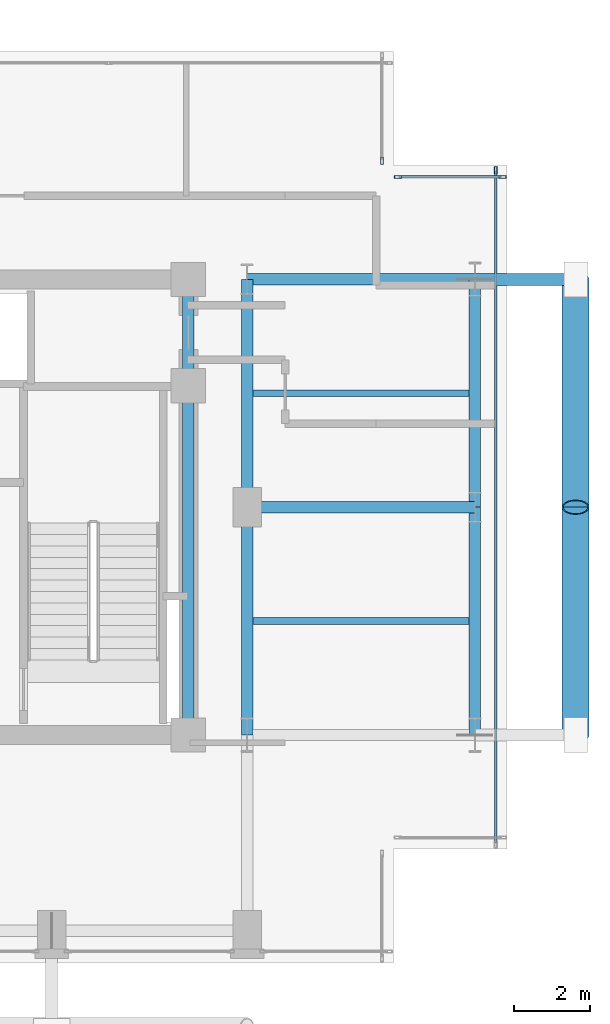
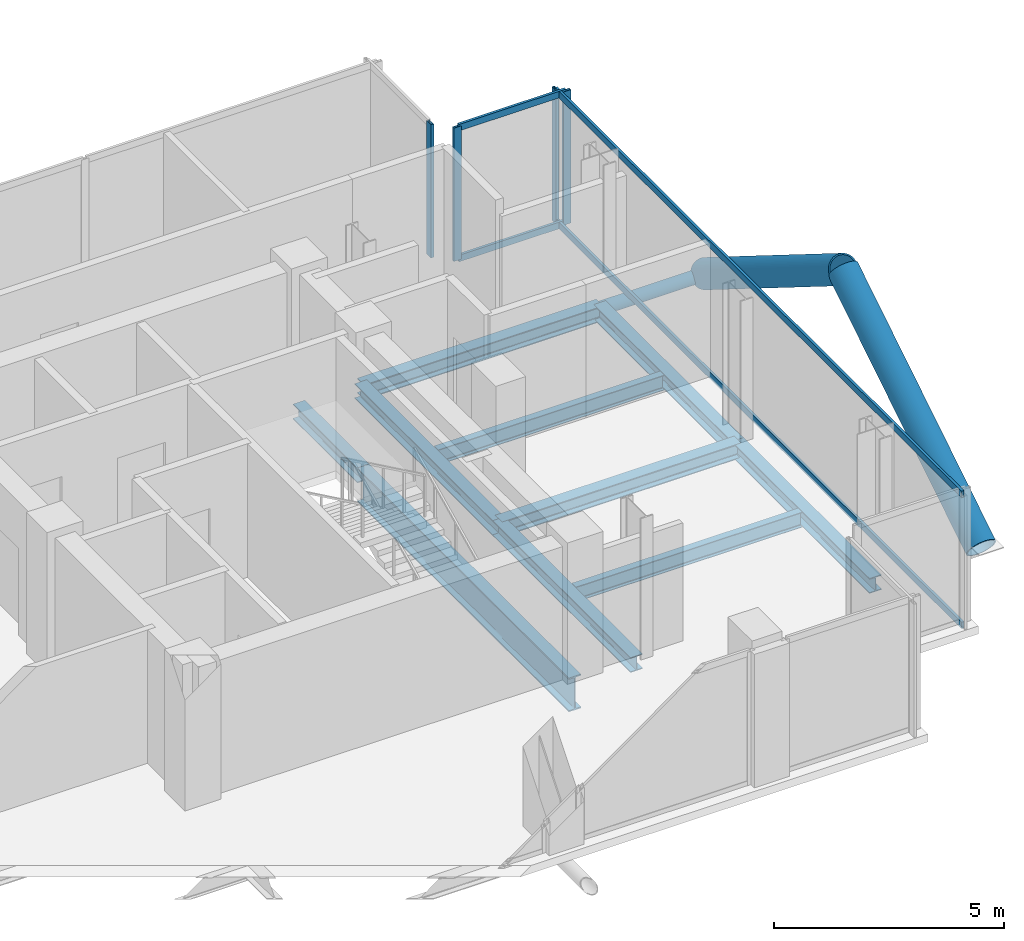
# One storey, part 11 of 21: 11 members, 10 beams, 3 elements without a shape of their own.
"""IFC4 building model written with IfcOpenShell, lengths in metres."""

from ifc_helpers import new_model, si_unit, direction, frame, origin, origin_2d, place, context, subcontext, project, spatial, hollow_rectangle, hollow_circle, i_section, extrude, material, layer, layer_set, material_profile, profile_set, type_object, element, aggregate, save


model = new_model("IFC4")

# Units and contexts
model_context = context("Model", 3, precision=1e-05, world=origin(), true_north=direction((0.0, 1.0)))
body_context = subcontext(model_context, "Body", "Model", "MODEL_VIEW")
ifc_project = project(units=[si_unit("LENGTHUNIT", "METRE"), si_unit("AREAUNIT", "SQUARE_METRE"), si_unit("VOLUMEUNIT", "CUBIC_METRE"), si_unit("PLANEANGLEUNIT", "RADIAN"), si_unit("MASSUNIT", "GRAM", prefix="KILO"), si_unit("THERMODYNAMICTEMPERATUREUNIT", "KELVIN"), si_unit("POWERUNIT", "WATT")], contexts=[model_context])

# Site, building, storey
site_placement = place(None, origin())
site = spatial("IfcSite", under=ifc_project, at=site_placement, CompositionType="ELEMENT")
building_placement = place(site_placement, origin())
building = spatial("IfcBuilding", under=site, at=building_placement, Name="Svarakhadi Broadcast Tower", CompositionType="ELEMENT")
storey_placement = place(building_placement, frame((0.0, 0.0, 219.89990234375)))
storey = spatial("IfcBuildingStorey", under=building, at=storey_placement, Name="L54", CompositionType="ELEMENT", Elevation=219.89990234375)

# Beams
ifc_material_1 = material(Name="Steel S355J2 (IS 2062 E350C)", Category="steel")
ifc_material_profile_1 = material_profile(ifc_material_1, i_section(OverallWidth=0.179931640625, OverallDepth=0.39990234375, WebThickness=0.008544921875, FlangeThickness=0.013427734375, FilletRadius=0.02099609375, at=origin_2d()), Name="NPB 400x180x66")
ifc_profile_set_1 = profile_set([ifc_material_profile_1], Name="Steel S355J2 (IS 2062 E350C)")
beam_type_1 = type_object("IfcBeamType", Name="Beam_NPB400", PredefinedType="BEAM", material=ifc_profile_set_1)
for number, where, z_axis, x_axis, name in (
    (1, (35.31005859375, 9.0, -0.409912109375), (1.0, 0.0, 0.0), (0.0, 1.0, 0.0), "L54 Secondary Composite Beam SB016"),
    (2, (35.31005859375, 15.0, -0.409912109375), (1.0, 0.0, 0.0), (0.0, 1.0, 0.0), "L54 Secondary Composite Beam SB017"),
):
    element("IfcBeam", number, at=place(storey_placement, frame(where, z_axis=z_axis, x_axis=x_axis)), inside=storey, type_object=beam_type_1, Name=name, PredefinedType="BEAM", context=body_context, shape_type="SweptSolid", body=[
        extrude(i_section(OverallWidth=0.179931640625, OverallDepth=0.39990234375, WebThickness=0.008544921875, FlangeThickness=0.013427734375, FilletRadius=0.02099609375, at=origin_2d()), origin(), (0.0, 0.0, 1.0), 5.679931640625),
    ])

# Curtain wall, member
ifc_material_2 = material(Name="Anodised Bronze Aluminium AA 6063-T6", Category="aluminium")
ifc_layer = layer(ifc_material_2, 0.18994140625)
ifc_layer_set = layer_set([ifc_layer], Name="Anodised Bronze Aluminium AA 6063-T6")
curtain_wall_type = type_object("IfcCurtainWallType", Name="CW_Sys_04", PredefinedType="NOTDEFINED", material=ifc_layer_set)
curtain_wall_1_placement = place(storey_placement, origin())
curtain_wall_1 = element("IfcCurtainWall", 3, at=curtain_wall_1_placement, inside=storey, type_object=curtain_wall_type, Name="L54 Unitised Facade Curtain Wall 11", PredefinedType="NOTDEFINED")
ifc_material_profile_2 = material_profile(ifc_material_2, hollow_rectangle(XDim=0.070068359375, YDim=0.18994140625, WallThickness=0.005615234375, at=origin_2d()), Name="ALU MULLION 190x70x6")
ifc_profile_set_2 = profile_set([ifc_material_profile_2], Name="Anodised Bronze Aluminium AA 6063-T6")
member_type_1 = type_object("IfcMemberType", Name="CW_Sys_04_Mul", PredefinedType="MULLION", material=ifc_profile_set_2)
member_1_placement = place(storey_placement, frame((38.699951171875, 21.125, 0.0), z_axis=(0.0, 0.0, 1.0), x_axis=(1.0, 0.0, 0.0)))
member_1 = element("IfcMember", 4, at=member_1_placement, type_object=member_type_1, Name="CW-04 mullion 2", PredefinedType="MULLION", context=body_context, shape_type="SweptSolid", body=[
    extrude(hollow_rectangle(XDim=0.070068359375, YDim=0.18994140625, WallThickness=0.005615234375, at=origin_2d()), origin(), (0.0, 0.0, 1.0), 3.5400390625),
])
aggregate(curtain_wall_1, [member_1])

# Curtain wall, members
curtain_wall_2_placement = place(storey_placement, origin())
curtain_wall_2 = element("IfcCurtainWall", 5, at=curtain_wall_2_placement, inside=storey, type_object=curtain_wall_type, Name="L54 Unitised Facade Curtain Wall 12", PredefinedType="NOTDEFINED")
member_2_placement = place(storey_placement, frame((39.125, 20.699951171875, 0.0), z_axis=(0.0, 0.0, 1.0), x_axis=(0.0, 1.0, 0.0)))
member_2 = element("IfcMember", 6, at=member_2_placement, type_object=member_type_1, Name="CW-04 mullion 1", PredefinedType="MULLION", context=body_context, shape_type="SweptSolid", body=[
    extrude(hollow_rectangle(XDim=0.070068359375, YDim=0.18994140625, WallThickness=0.005615234375, at=origin_2d()), origin(), (0.0, 0.0, 1.0), 3.5400390625),
])
member_3_placement = place(storey_placement, frame((41.875, 20.699951171875, 0.0), z_axis=(0.0, 0.0, 1.0), x_axis=(0.0, 1.0, 0.0)))
member_3 = element("IfcMember", 7, at=member_3_placement, type_object=member_type_1, Name="CW-04 mullion 2", PredefinedType="MULLION", context=body_context, shape_type="SweptSolid", body=[
    extrude(hollow_rectangle(XDim=0.070068359375, YDim=0.18994140625, WallThickness=0.005615234375, at=origin_2d()), origin(), (0.0, 0.0, 1.0), 3.5400390625),
])

# Curtain wall, member
curtain_wall_3_placement = place(storey_placement, origin())
curtain_wall_3 = element("IfcCurtainWall", 8, at=curtain_wall_3_placement, inside=storey, type_object=curtain_wall_type, Name="L54 Unitised Facade Curtain Wall 13", PredefinedType="NOTDEFINED")
member_4_placement = place(storey_placement, frame((41.699951171875, 20.875, 0.0), z_axis=(0.0, 0.0, 1.0), x_axis=(1.0, 0.0, 0.0)))
member_4 = element("IfcMember", 9, at=member_4_placement, type_object=member_type_1, Name="CW-04 mullion 1", PredefinedType="MULLION", context=body_context, shape_type="SweptSolid", body=[
    extrude(hollow_rectangle(XDim=0.070068359375, YDim=0.18994140625, WallThickness=0.005615234375, at=origin_2d()), origin(), (0.0, 0.0, 1.0), 3.5400390625),
])

# Member
ifc_material_profile_3 = material_profile(ifc_material_2, hollow_rectangle(XDim=0.06494140625, YDim=0.175048828125, WallThickness=0.0048828125, at=origin_2d()), Name="ALU TRANSOM 175x65x5")
ifc_profile_set_3 = profile_set([ifc_material_profile_3], Name="Anodised Bronze Aluminium AA 6063-T6")
member_type_2 = type_object("IfcMemberType", Name="CW_Sys_04_Trn", PredefinedType="USERDEFINED", material=ifc_profile_set_3)
member_5_placement = place(storey_placement, frame((39.159912109375, 20.699951171875, 0.03271484375), z_axis=(1.0, 0.0, 0.0), x_axis=(0.0, 1.0, 0.0)))
member_5 = element("IfcMember", 10, at=member_5_placement, type_object=member_type_2, Name="CW-04 transom 1.1", ObjectType="TRANSOM", PredefinedType="USERDEFINED", context=body_context, shape_type="SweptSolid", body=[
    extrude(hollow_rectangle(XDim=0.06494140625, YDim=0.175048828125, WallThickness=0.0048828125, at=origin_2d()), origin(), (0.0, 0.0, 1.0), 2.68017578125),
])

member_6_placement = place(storey_placement, frame((39.159912109375, 20.699951171875, 3.507568359375), z_axis=(1.0, 0.0, 0.0), x_axis=(0.0, 1.0, 0.0)))
member_6 = element("IfcMember", 11, at=member_6_placement, type_object=member_type_2, Name="CW-04 transom 1.2", ObjectType="TRANSOM", PredefinedType="USERDEFINED", context=body_context, shape_type="SweptSolid", body=[
    extrude(hollow_rectangle(XDim=0.06494140625, YDim=0.175048828125, WallThickness=0.0048828125, at=origin_2d()), origin(), (0.0, 0.0, 1.0), 2.68017578125),
])

aggregate(curtain_wall_2, [member_2, member_3, member_5, member_6])

member_7_placement = place(storey_placement, frame((41.699951171875, 20.840087890625, 0.03271484375), z_axis=(0.0, -1.0, 0.0), x_axis=(1.0, 0.0, 0.0)))
member_7 = element("IfcMember", 12, at=member_7_placement, type_object=member_type_2, Name="CW-04 transom 1.1", ObjectType="TRANSOM", PredefinedType="USERDEFINED", context=body_context, shape_type="SweptSolid", body=[
    extrude(hollow_rectangle(XDim=0.06494140625, YDim=0.175048828125, WallThickness=0.0048828125, at=origin_2d()), origin(), (0.0, 0.0, 1.0), 17.68017578125),
])

member_8_placement = place(storey_placement, frame((41.699951171875, 20.840087890625, 3.507568359375), z_axis=(0.0, -1.0, 0.0), x_axis=(1.0, 0.0, 0.0)))
member_8 = element("IfcMember", 13, at=member_8_placement, type_object=member_type_2, Name="CW-04 transom 1.2", ObjectType="TRANSOM", PredefinedType="USERDEFINED", context=body_context, shape_type="SweptSolid", body=[
    extrude(hollow_rectangle(XDim=0.06494140625, YDim=0.175048828125, WallThickness=0.0048828125, at=origin_2d()), origin(), (0.0, 0.0, 1.0), 17.68017578125),
])

aggregate(curtain_wall_3, [member_4, member_7, member_8])

# Members
ifc_material_3 = material(Name="Steel S460ML (IS 2062 E450BR)", Category="steel")
ifc_material_profile_4 = material_profile(ifc_material_3, hollow_circle(Radius=0.35546875, WallThickness=0.034912109375, at=origin_2d()), Name="CHS 711x35")
ifc_profile_set_4 = profile_set([ifc_material_profile_4], Name="Steel S460ML (IS 2062 E450BR)")
member_type_3 = type_object("IfcMemberType", Name="Exo_Brace_CHS711", PredefinedType="BRACE", material=ifc_profile_set_4)
for number, where, z_axis, x_axis, name in (
    (14, (43.800048828125, 6.0, -0.371826171875), (0.0, 0.847998304005, 0.529998940003), (-1.0, 0.0, 0.0), "L54 Exposed Bronze Exoskeleton Diagonal E04"),
    (15, (43.800048828125, 18.0, -0.371826171875), (0.0, -0.847998304005, 0.529998940003), (1.0, 0.0, 0.0), "L54 Exposed Bronze Exoskeleton Diagonal E05"),
):
    element("IfcMember", number, at=place(storey_placement, frame(where, z_axis=z_axis, x_axis=x_axis)), inside=storey, type_object=member_type_3, Name=name, PredefinedType="BRACE", context=body_context, shape_type="SweptSolid", body=[
        extrude(hollow_circle(Radius=0.35546875, WallThickness=0.034912109375, at=origin_2d()), origin(), (0.0, 0.0, 1.0), 7.075439453125),
    ])
ifc_material_profile_5 = material_profile(ifc_material_3, hollow_circle(Radius=0.161865234375, WallThickness=0.01611328125, at=origin_2d()), Name="CHS 323.9x16")
ifc_profile_set_5 = profile_set([ifc_material_profile_5], Name="Steel S460ML (IS 2062 E450BR)")
member_type_4 = type_object("IfcMemberType", Name="Exo_Radial_Strut_Z2", PredefinedType="STRUT", material=ifc_profile_set_5)
member_9_placement = place(storey_placement, frame((43.800048828125, 18.0, -0.371826171875), z_axis=(-1.0, 0.0, 0.0), x_axis=(0.0, -1.0, 0.0)))
element("IfcMember", 16, at=member_9_placement, inside=storey, type_object=member_type_4, Name="L54 Exoskeleton Radial Tie Strut E08", PredefinedType="STRUT", context=body_context, shape_type="SweptSolid", body=[
    extrude(hollow_circle(Radius=0.161865234375, WallThickness=0.01611328125, at=origin_2d()), origin(), (0.0, 0.0, 1.0), 2.650146484375),
])

# Beams
ifc_material_profile_6 = material_profile(ifc_material_1, i_section(OverallWidth=0.300048828125, OverallDepth=0.39990234375, WebThickness=0.013427734375, FlangeThickness=0.02392578125, FilletRadius=0.027099609375, at=origin_2d()), Name="WPB 400x300x155")
ifc_profile_set_6 = profile_set([ifc_material_profile_6], Name="Steel S355J2 (IS 2062 E350C)")
beam_type_2 = type_object("IfcBeamType", Name="Girder_WPB400", PredefinedType="USERDEFINED", material=ifc_profile_set_6)
for number, where, z_axis, x_axis, name in (
    (17, (35.14990234375, 12.0, -0.409912109375), (1.0, 0.0, 0.0), (0.0, 1.0, 0.0), "L54 Primary E-W Girder G019"),
    (18, (35.14990234375, 18.0, -0.409912109375), (1.0, 0.0, 0.0), (0.0, 1.0, 0.0), "L54 Primary E-W Girder G025"),
):
    element("IfcBeam", number, at=place(storey_placement, frame(where, z_axis=z_axis, x_axis=x_axis)), inside=storey, type_object=beam_type_2, Name=name, ObjectType="GIRDER", PredefinedType="USERDEFINED", context=body_context, shape_type="SweptSolid", body=[
        extrude(i_section(OverallWidth=0.300048828125, OverallDepth=0.39990234375, WebThickness=0.013427734375, FlangeThickness=0.02392578125, FilletRadius=0.027099609375, at=origin_2d()), origin(), (0.0, 0.0, 1.0), 6.0),
    ])
beam_1_placement = place(storey_placement, frame((33.60009765625, 15.199951171875, -0.409912109375), z_axis=(0.0, 1.0, 0.0), x_axis=(-1.0, 0.0, 0.0)))
element("IfcBeam", 19, at=beam_1_placement, inside=storey, type_object=beam_type_2, Name="L54 Primary N-S Girder G055", ObjectType="GIRDER", PredefinedType="USERDEFINED", context=body_context, shape_type="SweptSolid", body=[
    extrude(i_section(OverallWidth=0.300048828125, OverallDepth=0.39990234375, WebThickness=0.013427734375, FlangeThickness=0.02392578125, FilletRadius=0.027099609375, at=origin_2d()), origin(), (0.0, 0.0, 1.0), 2.800048828125),
])
for number, where, z_axis, x_axis, name in (
    (20, (35.14990234375, 6.0, -0.409912109375), (0.0, 1.0, 0.0), (-1.0, 0.0, 0.0), "L54 Primary N-S Girder G057"),
    (21, (35.14990234375, 12.0, -0.409912109375), (0.0, 1.0, 0.0), (-1.0, 0.0, 0.0), "L54 Primary N-S Girder G058"),
    (22, (41.14990234375, 6.0, -0.409912109375), (0.0, 1.0, 0.0), (-1.0, 0.0, 0.0), "L54 Primary N-S Girder G059"),
    (23, (41.14990234375, 12.0, -0.409912109375), (0.0, 1.0, 0.0), (-1.0, 0.0, 0.0), "L54 Primary N-S Girder G060"),
):
    element("IfcBeam", number, at=place(storey_placement, frame(where, z_axis=z_axis, x_axis=x_axis)), inside=storey, type_object=beam_type_2, Name=name, ObjectType="GIRDER", PredefinedType="USERDEFINED", context=body_context, shape_type="SweptSolid", body=[
        extrude(i_section(OverallWidth=0.300048828125, OverallDepth=0.39990234375, WebThickness=0.013427734375, FlangeThickness=0.02392578125, FilletRadius=0.027099609375, at=origin_2d()), origin(), (0.0, 0.0, 1.0), 6.0),
    ])
ifc_material_profile_7 = material_profile(ifc_material_3, i_section(OverallWidth=0.300048828125, OverallDepth=0.89990234375, WebThickness=0.0185546875, FlangeThickness=0.034912109375, FilletRadius=0.030029296875, at=origin_2d()), Name="WPB 900x300x291")
ifc_profile_set_7 = profile_set([ifc_material_profile_7], Name="Steel S460ML (IS 2062 E450BR)")
beam_type_3 = type_object("IfcBeamType", Name="Girder_WPB900", PredefinedType="USERDEFINED", material=ifc_profile_set_7)
beam_2_placement = place(storey_placement, frame((33.60009765625, 6.0, -0.659912109375), z_axis=(0.0, 1.0, 0.0), x_axis=(-1.0, 0.0, 0.0)))
element("IfcBeam", 24, at=beam_2_placement, inside=storey, type_object=beam_type_3, Name="L54 Primary N-S Girder G054", ObjectType="GIRDER", PredefinedType="USERDEFINED", context=body_context, shape_type="SweptSolid", body=[
    extrude(i_section(OverallWidth=0.300048828125, OverallDepth=0.89990234375, WebThickness=0.0185546875, FlangeThickness=0.034912109375, FilletRadius=0.030029296875, at=origin_2d()), origin(), (0.0, 0.0, 1.0), 9.199951171875),
])

save(model, "model.ifc")
